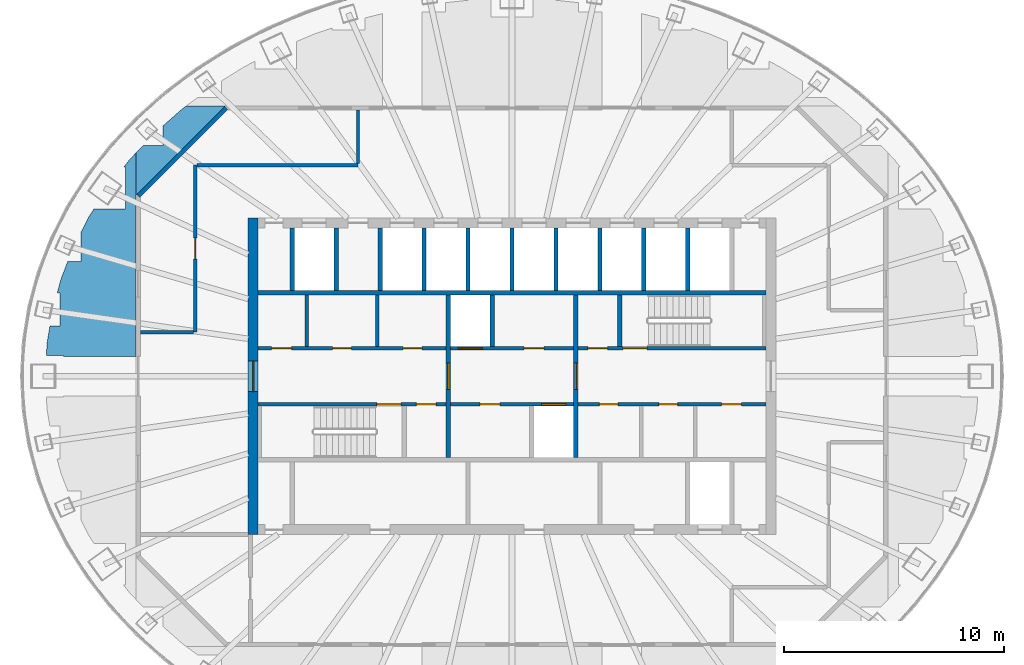
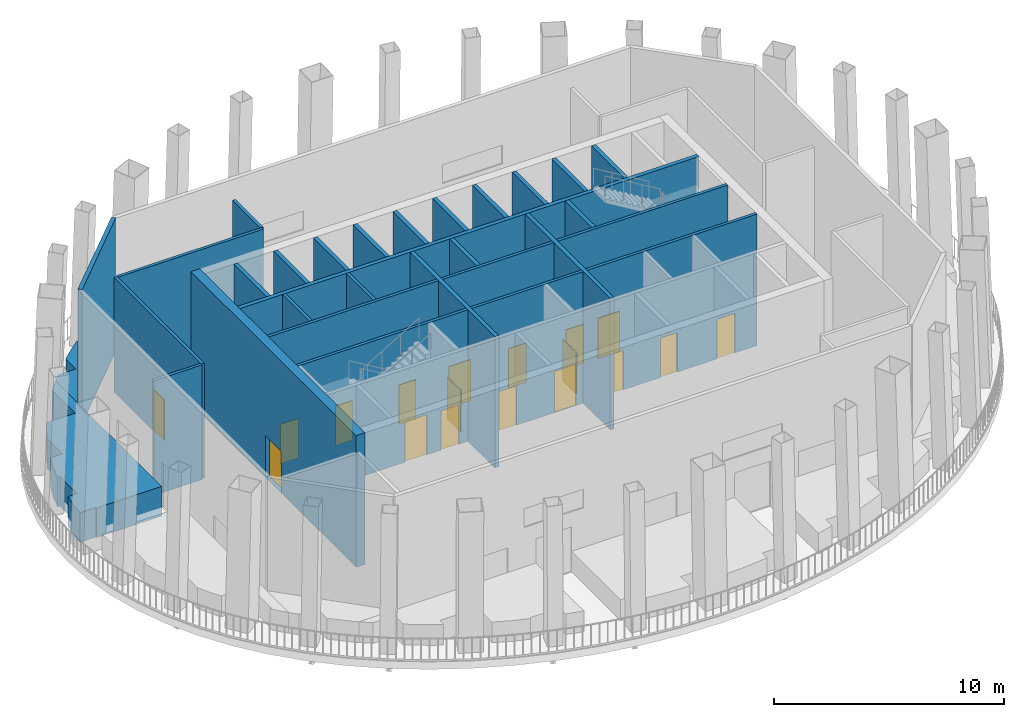
# One storey, part 4 of 12: 31 walls, 18 doors, 18 openings.
"""IFC4 building model written with IfcOpenShell, lengths in metres."""

from ifc_helpers import new_model, si_unit, direction, frame, frame_2d, origin, place, context, subcontext, project, spatial, polyline, rectangle, outline, extrude, material, layer, layer_set, type_object, element, fill, save


model = new_model("IFC4")

# Units and contexts
model_context = context("Model", 3, precision=1e-05, world=origin(), true_north=direction((0.0, 1.0)))
body_context = subcontext(model_context, "Body", "Model", "MODEL_VIEW")
ifc_project = project(units=[si_unit("LENGTHUNIT", "METRE"), si_unit("AREAUNIT", "SQUARE_METRE"), si_unit("VOLUMEUNIT", "CUBIC_METRE"), si_unit("PLANEANGLEUNIT", "RADIAN"), si_unit("MASSUNIT", "GRAM", prefix="KILO")], contexts=[model_context])

# Site, building, storey
site_placement = place(None, origin())
site = spatial("IfcSite", under=ifc_project, at=site_placement, CompositionType="ELEMENT")
building_placement = place(site_placement, origin())
building = spatial("IfcBuilding", under=site, at=building_placement, Name="Siaravel Broadcast Tower", CompositionType="ELEMENT")
storey_placement = place(building_placement, frame((0.0, 0.0, 205.199951171875)))
storey = spatial("IfcBuildingStorey", under=building, at=storey_placement, Name="L50", CompositionType="ELEMENT", Elevation=205.199951171875)

# Walls
ifc_material_1 = material(Name="Concrete blockwork", Category="masonry")
ifc_layer_1 = layer(ifc_material_1, 0.14990234375)
ifc_layer_set_1 = layer_set([ifc_layer_1], Name="Concrete blockwork")
wall_type_1 = type_object("IfcWallType", Name="Core partition 150", PredefinedType="PARTITIONING", material=ifc_layer_set_1)
for number, where, z_axis, x_axis, name in (
    (1, (-9.330078125, 1.35009765625, 0.0), (0.0, 0.0, 1.0), (0.0, 1.0, 0.0), "L50 core partition PNW0"),
    (2, (-6.12744140625, 1.35009765625, 0.0), (0.0, 0.0, 1.0), (0.0, 1.0, 0.0), "L50 core partition PNW1"),
):
    element("IfcWall", number, at=place(storey_placement, frame(where, z_axis=z_axis, x_axis=x_axis)), inside=storey, type_object=wall_type_1, Name=name, PredefinedType="PARTITIONING", context=body_context, shape_type="SweptSolid", body=[
        extrude(rectangle(XDim=2.349853515625, YDim=0.14990234375, at=frame_2d((1.1748046875, 0.0))), origin(), (0.0, 0.0, 1.0), 7.0),
    ])

# Wall, opening, door
ifc_material_2 = material(Name="Concrete C60/75", Category="concrete")
ifc_layer_2 = layer(ifc_material_2, 0.449951171875)
ifc_layer_set_2 = layer_set([ifc_layer_2], Name="Concrete C60/75")
wall_type_2 = type_object("IfcWallType", Name="Core wall 450", PredefinedType="SHEAR", material=ifc_layer_set_2)
wall_1_placement = place(storey_placement, frame((-11.77490234375, -7.199951171875, 0.0), z_axis=(0.0, 0.0, 1.0), x_axis=(0.0, 1.0, 0.0)))
wall_1 = element("IfcWall", 3, at=wall_1_placement, inside=storey, type_object=wall_type_2, Name="L50 core wall OW", PredefinedType="SHEAR", context=body_context, shape_type="SweptSolid", body=[
    extrude(rectangle(XDim=14.39990234375, YDim=0.449951171875, at=frame_2d((7.199951171875, 0.0))), origin(), (0.0, 0.0, 1.0), 7.0),
])
opening_1_placement = place(wall_1_placement, frame((6.5, 0.0, 0.0)))
opening_1 = element("IfcOpeningElement", 4, at=opening_1_placement, cuts=wall_1, Name="Opening L50-DX-W", PredefinedType="OPENING", context=body_context, shape_type="SweptSolid", body=[
    extrude(rectangle(XDim=1.39990234375, YDim=2.199951171875, at=frame_2d((0.699951171875, 1.10009765625))), frame((0.0, 0.23486328125, 0.0), z_axis=(0.0, -1.0, 0.0), x_axis=(1.0, 0.0, 0.0)), (0.0, 0.0, 1.0), 0.469970703125),
])
ifc_material_3 = material(Name="Steel", Category="steel")
door_type_1 = type_object("IfcDoorType", Name="Core exit door 1400", OperationType="DOUBLE_DOOR_SINGLE_SWING", PredefinedType="DOOR", material=ifc_material_3)
door_1_placement = place(opening_1_placement, origin())
door_1 = element("IfcDoor", 5, at=door_1_placement, inside=storey, type_object=door_type_1, Name="L50 door DX-W", OperationType="DOUBLE_DOOR_SINGLE_SWING", OverallHeight=2.199951171875, OverallWidth=1.39990234375, PredefinedType="DOOR", context=body_context, shape_type="SweptSolid", body=[
    extrude(rectangle(XDim=1.39990234375, YDim=2.199951171875, at=frame_2d((0.699951171875, 1.10009765625))), frame((0.0, 0.02490234375, 0.0), z_axis=(0.0, -1.0, 0.0), x_axis=(1.0, 0.0, 0.0)), (0.0, 0.0, 1.0), 0.050048828125),
])
fill(opening_1, door_1)

# Wall, openings, doors
ifc_material_4 = material(Name="Gypsum board partition", Category="gypsum")
ifc_layer_3 = layer(ifc_material_4, 0.14990234375)
ifc_layer_set_3 = layer_set([ifc_layer_3], Name="Gypsum board partition")
wall_type_3 = type_object("IfcWallType", Name="Corridor wall 150", PredefinedType="PARTITIONING", material=ifc_layer_set_3)
wall_2_placement = place(storey_placement, frame((3.0, -1.27490234375, 0.0), z_axis=(0.0, 0.0, 1.0), x_axis=(1.0, 0.0, 0.0)))
wall_2 = element("IfcWall", 6, at=wall_2_placement, inside=storey, type_object=wall_type_3, Name="L50 core partition CSE", PredefinedType="PARTITIONING", context=body_context, shape_type="SweptSolid", body=[
    extrude(rectangle(XDim=8.550048828125, YDim=0.14990234375, at=frame_2d((4.27490234375, 0.0))), origin(), (0.0, 0.0, 1.0), 7.0),
])
opening_2_placement = place(wall_2_placement, frame((0.9775390625, 0.0, 0.0)))
opening_2 = element("IfcOpeningElement", 7, at=opening_2_placement, cuts=wall_2, Name="Opening L50-DSE0", PredefinedType="OPENING", context=body_context, shape_type="SweptSolid", body=[
    extrude(rectangle(XDim=0.85009765625, YDim=2.10009765625, at=frame_2d((0.425048828125, 1.050048828125))), frame((0.0, 0.0849609375, 0.0), z_axis=(0.0, -1.0, 0.0), x_axis=(1.0, 0.0, 0.0)), (0.0, 0.0, 1.0), 0.169921875),
])
opening_3_placement = place(wall_2_placement, frame((3.68505859375, 0.0, 0.0)))
opening_3 = element("IfcOpeningElement", 8, at=opening_3_placement, cuts=wall_2, Name="Opening L50-DSE1", PredefinedType="OPENING", context=body_context, shape_type="SweptSolid", body=[
    extrude(rectangle(XDim=0.85009765625, YDim=2.10009765625, at=frame_2d((0.425048828125, 1.050048828125))), frame((0.0, 0.0849609375, 0.0), z_axis=(0.0, -1.0, 0.0), x_axis=(1.0, 0.0, 0.0)), (0.0, 0.0, 1.0), 0.169921875),
])
opening_4_placement = place(wall_2_placement, frame((6.532470703125, 0.0, 0.0)))
opening_4 = element("IfcOpeningElement", 9, at=opening_4_placement, cuts=wall_2, Name="Opening L50-DSE2", PredefinedType="OPENING", context=body_context, shape_type="SweptSolid", body=[
    extrude(rectangle(XDim=0.89990234375, YDim=2.10009765625, at=frame_2d((0.449951171875, 1.050048828125))), frame((0.0, 0.0849609375, 0.0), z_axis=(0.0, -1.0, 0.0), x_axis=(1.0, 0.0, 0.0)), (0.0, 0.0, 1.0), 0.169921875),
])
ifc_material_5 = material(Name="Timber veneer", Category="wood")
door_type_2 = type_object("IfcDoorType", Name="Core room door 900", OperationType="SINGLE_SWING_LEFT", PredefinedType="DOOR", material=ifc_material_5)
door_2_placement = place(opening_4_placement, origin())
door_2 = element("IfcDoor", 10, at=door_2_placement, inside=storey, type_object=door_type_2, Name="L50 door DSE2", OperationType="SINGLE_SWING_LEFT", OverallHeight=2.10009765625, OverallWidth=0.89990234375, PredefinedType="DOOR", context=body_context, shape_type="SweptSolid", body=[
    extrude(rectangle(XDim=0.89990234375, YDim=2.10009765625, at=frame_2d((0.449951171875, 1.050048828125))), frame((0.0, 0.02490234375, 0.0), z_axis=(0.0, -1.0, 0.0), x_axis=(1.0, 0.0, 0.0)), (0.0, 0.0, 1.0), 0.050048828125),
])
fill(opening_4, door_2)
door_type_3 = type_object("IfcDoorType", Name="Core toilet door 850", OperationType="SINGLE_SWING_LEFT", PredefinedType="DOOR", material=ifc_material_5)
door_3_placement = place(opening_2_placement, origin())
door_3 = element("IfcDoor", 11, at=door_3_placement, inside=storey, type_object=door_type_3, Name="L50 door DSE0", OperationType="SINGLE_SWING_LEFT", OverallHeight=2.10009765625, OverallWidth=0.85009765625, PredefinedType="DOOR", context=body_context, shape_type="SweptSolid", body=[
    extrude(rectangle(XDim=0.85009765625, YDim=2.10009765625, at=frame_2d((0.425048828125, 1.050048828125))), frame((0.0, 0.02490234375, 0.0), z_axis=(0.0, -1.0, 0.0), x_axis=(1.0, 0.0, 0.0)), (0.0, 0.0, 1.0), 0.050048828125),
])
fill(opening_2, door_3)
door_4_placement = place(opening_3_placement, origin())
door_4 = element("IfcDoor", 12, at=door_4_placement, inside=storey, type_object=door_type_3, Name="L50 door DSE1", OperationType="SINGLE_SWING_LEFT", OverallHeight=2.10009765625, OverallWidth=0.85009765625, PredefinedType="DOOR", context=body_context, shape_type="SweptSolid", body=[
    extrude(rectangle(XDim=0.85009765625, YDim=2.10009765625, at=frame_2d((0.425048828125, 1.050048828125))), frame((0.0, 0.02490234375, 0.0), z_axis=(0.0, -1.0, 0.0), x_axis=(1.0, 0.0, 0.0)), (0.0, 0.0, 1.0), 0.050048828125),
])
fill(opening_3, door_4)

wall_3_placement = place(storey_placement, frame((-11.550048828125, 1.27490234375, 0.0), z_axis=(0.0, 0.0, 1.0), x_axis=(1.0, 0.0, 0.0)))
wall_3 = element("IfcWall", 13, at=wall_3_placement, inside=storey, type_object=wall_type_3, Name="L50 core partition CNW", PredefinedType="PARTITIONING", context=body_context, shape_type="SweptSolid", body=[
    extrude(rectangle(XDim=8.550048828125, YDim=0.14990234375, at=frame_2d((4.27490234375, 0.0))), origin(), (0.0, 0.0, 1.0), 7.0),
])
opening_5_placement = place(wall_3_placement, frame((0.62255859375, 0.0, 0.0)))
opening_5 = element("IfcOpeningElement", 14, at=opening_5_placement, cuts=wall_3, Name="Opening L50-DNW0", PredefinedType="OPENING", context=body_context, shape_type="SweptSolid", body=[
    extrude(rectangle(XDim=0.89990234375, YDim=2.10009765625, at=frame_2d((0.449951171875, 1.050048828125))), frame((0.0, 0.0849609375, 0.0), z_axis=(0.0, -1.0, 0.0), x_axis=(1.0, 0.0, 0.0)), (0.0, 0.0, 1.0), 0.169921875),
])
opening_6_placement = place(wall_3_placement, frame((3.396240234375, 0.0, 0.0)))
opening_6 = element("IfcOpeningElement", 15, at=opening_6_placement, cuts=wall_3, Name="Opening L50-DNW1", PredefinedType="OPENING", context=body_context, shape_type="SweptSolid", body=[
    extrude(rectangle(XDim=0.85009765625, YDim=2.10009765625, at=frame_2d((0.425048828125, 1.050048828125))), frame((0.0, 0.0849609375, 0.0), z_axis=(0.0, -1.0, 0.0), x_axis=(1.0, 0.0, 0.0)), (0.0, 0.0, 1.0), 0.169921875),
])
opening_7_placement = place(wall_3_placement, frame((6.5986328125, 0.0, 0.0)))
opening_7 = element("IfcOpeningElement", 16, at=opening_7_placement, cuts=wall_3, Name="Opening L50-DNW2", PredefinedType="OPENING", context=body_context, shape_type="SweptSolid", body=[
    extrude(rectangle(XDim=0.85009765625, YDim=2.10009765625, at=frame_2d((0.425048828125, 1.050048828125))), frame((0.0, 0.0849609375, 0.0), z_axis=(0.0, -1.0, 0.0), x_axis=(1.0, 0.0, 0.0)), (0.0, 0.0, 1.0), 0.169921875),
])
door_5_placement = place(opening_5_placement, origin())
door_5 = element("IfcDoor", 17, at=door_5_placement, inside=storey, type_object=door_type_2, Name="L50 door DNW0", OperationType="SINGLE_SWING_LEFT", OverallHeight=2.10009765625, OverallWidth=0.89990234375, PredefinedType="DOOR", context=body_context, shape_type="SweptSolid", body=[
    extrude(rectangle(XDim=0.89990234375, YDim=2.10009765625, at=frame_2d((0.449951171875, 1.050048828125))), frame((0.0, 0.02490234375, 0.0), z_axis=(0.0, -1.0, 0.0), x_axis=(1.0, 0.0, 0.0)), (0.0, 0.0, 1.0), 0.050048828125),
])
fill(opening_5, door_5)
door_6_placement = place(opening_6_placement, origin())
door_6 = element("IfcDoor", 18, at=door_6_placement, inside=storey, type_object=door_type_3, Name="L50 door DNW1", OperationType="SINGLE_SWING_LEFT", OverallHeight=2.10009765625, OverallWidth=0.85009765625, PredefinedType="DOOR", context=body_context, shape_type="SweptSolid", body=[
    extrude(rectangle(XDim=0.85009765625, YDim=2.10009765625, at=frame_2d((0.425048828125, 1.050048828125))), frame((0.0, 0.02490234375, 0.0), z_axis=(0.0, -1.0, 0.0), x_axis=(1.0, 0.0, 0.0)), (0.0, 0.0, 1.0), 0.050048828125),
])
fill(opening_6, door_6)
door_7_placement = place(opening_7_placement, origin())
door_7 = element("IfcDoor", 19, at=door_7_placement, inside=storey, type_object=door_type_3, Name="L50 door DNW2", OperationType="SINGLE_SWING_LEFT", OverallHeight=2.10009765625, OverallWidth=0.85009765625, PredefinedType="DOOR", context=body_context, shape_type="SweptSolid", body=[
    extrude(rectangle(XDim=0.85009765625, YDim=2.10009765625, at=frame_2d((0.425048828125, 1.050048828125))), frame((0.0, 0.02490234375, 0.0), z_axis=(0.0, -1.0, 0.0), x_axis=(1.0, 0.0, 0.0)), (0.0, 0.0, 1.0), 0.050048828125),
])
fill(opening_7, door_7)

# Wall, opening, door
wall_4_placement = place(storey_placement, frame((-14.39990234375, 2.0, 0.0), z_axis=(0.0, 0.0, 1.0), x_axis=(0.0, 1.0, 0.0)))
wall_4 = element("IfcWall", 20, at=wall_4_placement, inside=storey, type_object=wall_type_3, Name="L50 partition 1", PredefinedType="PARTITIONING", context=body_context, shape_type="SweptSolid", body=[
    extrude(rectangle(XDim=7.60009765625, YDim=0.14990234375, at=frame_2d((3.800048828125, 0.0))), origin(), (0.0, 0.0, 1.0), 6.10009765625),
])
opening_8_placement = place(wall_4_placement, frame((3.324951171875, 0.0, 0.0)))
opening_8 = element("IfcOpeningElement", 21, at=opening_8_placement, cuts=wall_4, Name="Opening L50-001", PredefinedType="OPENING", context=body_context, shape_type="SweptSolid", body=[
    extrude(rectangle(XDim=0.949951171875, YDim=2.14990234375, at=frame_2d((0.47509765625, 1.074951171875))), frame((0.0, 0.0849609375, 0.0), z_axis=(0.0, -1.0, 0.0), x_axis=(1.0, 0.0, 0.0)), (0.0, 0.0, 1.0), 0.169921875),
])
door_type_4 = type_object("IfcDoorType", Name="Office door 950", OperationType="SINGLE_SWING_LEFT", PredefinedType="DOOR", material=ifc_material_5)
door_8_placement = place(opening_8_placement, origin())
door_8 = element("IfcDoor", 22, at=door_8_placement, inside=storey, type_object=door_type_4, Name="L50 door to Sky lounge", OperationType="SINGLE_SWING_LEFT", OverallHeight=2.14990234375, OverallWidth=0.949951171875, PredefinedType="DOOR", context=body_context, shape_type="SweptSolid", body=[
    extrude(rectangle(XDim=0.949951171875, YDim=2.14990234375, at=frame_2d((0.47509765625, 1.074951171875))), frame((0.0, 0.02490234375, 0.0), z_axis=(0.0, -1.0, 0.0), x_axis=(1.0, 0.0, 0.0)), (0.0, 0.0, 1.0), 0.050048828125),
])
fill(opening_8, door_8)

# Walls
wall_5_placement = place(storey_placement, frame((-14.322998046875, 9.60009765625, 0.0), z_axis=(0.0, 0.0, 1.0), x_axis=(1.0, 0.0, 0.0)))
element("IfcWall", 23, at=wall_5_placement, inside=storey, type_object=wall_type_3, Name="L50 partition 2", PredefinedType="PARTITIONING", context=body_context, shape_type="SweptSolid", body=[
    extrude(rectangle(XDim=7.322998046875, YDim=0.14990234375, at=frame_2d((3.66162109375, 0.0))), origin(), (0.0, 0.0, 1.0), 6.10009765625),
])
wall_6_placement = place(storey_placement, frame((-7.0, 9.677001953125, 0.0), z_axis=(0.0, 0.0, 1.0), x_axis=(0.0, 1.0, 0.0)))
element("IfcWall", 24, at=wall_6_placement, inside=storey, type_object=wall_type_3, Name="L50 partition 9", PredefinedType="PARTITIONING", context=body_context, shape_type="SweptSolid", body=[
    extrude(rectangle(XDim=2.423095703125, YDim=0.14990234375, at=frame_2d((1.21142578125, 0.0))), origin(), (0.0, 0.0, 1.0), 6.10009765625),
])
wall_7_placement = place(storey_placement, frame((-16.89990234375, 2.0, 0.0), z_axis=(0.0, 0.0, 1.0), x_axis=(1.0, 0.0, 0.0)))
element("IfcWall", 25, at=wall_7_placement, inside=storey, type_object=wall_type_3, Name="L50 partition 12", PredefinedType="PARTITIONING", context=body_context, shape_type="SweptSolid", body=[
    extrude(rectangle(XDim=2.4228515625, YDim=0.14990234375, at=frame_2d((1.21142578125, 0.0))), origin(), (0.0, 0.0, 1.0), 6.10009765625),
])
ifc_material_6 = material(Name="Concrete C40/50", Category="concrete")
ifc_layer_4 = layer(ifc_material_6, 1.0)
ifc_layer_set_4 = layer_set([ifc_layer_4], Name="Concrete C40/50")
wall_type_4 = type_object("IfcWallType", Name="Garden planter box", PredefinedType="ELEMENTEDWALL", material=ifc_layer_set_4)
wall_8_placement = place(storey_placement, frame((0.0, 0.0, -0.39990234375)))
element("IfcWall", 26, at=wall_8_placement, inside=storey, type_object=wall_type_4, Name="L50 garden planting bed 08", PredefinedType="ELEMENTEDWALL", context=body_context, shape_type="SweptSolid", body=[
    extrude(outline(polyline([(-21.01904296875, 2.2734375), (-21.145263671875, 1.497314453125), (-21.1748046875, 0.949951171875), (-20.39013671875, 0.949951171875), (-20.39013671875, 0.89990234375), (-17.10009765625, 0.89990234375), (-17.10009765625, 8.241455078125), (-17.10009765625, 10.15625), (-17.387451171875, 9.853271484375), (-17.66015625, 9.5068359375), (-17.584716796875, 9.5068359375), (-17.584716796875, 7.606689453125), (-19.014404296875, 7.606689453125), (-19.2373046875, 7.260009765625), (-19.605712890625, 6.5400390625), (-19.605712890625, 5.2119140625), (-20.20458984375, 5.2119140625), (-20.502685546875, 4.446044921875), (-20.68701171875, 3.7734375), (-20.567138671875, 3.7734375), (-20.567138671875, 2.2734375), (-21.01904296875, 2.2734375)])), origin(), (0.0, 0.0, 1.0), 1.579833984375),
])
wall_9_placement = place(storey_placement, frame((0.0, 0.0, -0.39990234375)))
element("IfcWall", 27, at=wall_9_placement, inside=storey, type_object=wall_type_4, Name="L50 garden planting bed 10", PredefinedType="ELEMENTEDWALL", context=body_context, shape_type="SweptSolid", body=[
    extrude(outline(polyline([(-17.10009765625, 10.15625), (-17.10009765625, 8.241455078125), (-13.04150390625, 12.300048828125), (-14.802978515625, 12.300048828125), (-15.009033203125, 12.147216796875), (-15.88134765625, 11.376708984375), (-15.88134765625, 10.49267578125), (-16.78125, 10.49267578125), (-17.10009765625, 10.15625)])), origin(), (0.0, 0.0, 1.0), 1.579833984375),
])

# Wall, openings, doors
ifc_layer_5 = layer(ifc_material_2, 0.14990234375)
ifc_layer_set_5 = layer_set([ifc_layer_5], Name="Concrete C60/75")
wall_type_5 = type_object("IfcWallType", Name="Shaft wall 150", PredefinedType="SHEAR", material=ifc_layer_set_5)
wall_10_placement = place(storey_placement, frame((-11.550048828125, -1.27490234375, 0.0), z_axis=(0.0, 0.0, 1.0), x_axis=(1.0, 0.0, 0.0)))
wall_10 = element("IfcWall", 28, at=wall_10_placement, inside=storey, type_object=wall_type_5, Name="L50 core wall CSW", PredefinedType="SHEAR", context=body_context, shape_type="SweptSolid", body=[
    extrude(rectangle(XDim=8.550048828125, YDim=0.14990234375, at=frame_2d((4.27490234375, 0.0))), origin(), (0.0, 0.0, 1.0), 7.0),
])
opening_9_placement = place(wall_10_placement, frame((5.39990234375, 0.0, 0.0)))
opening_9 = element("IfcOpeningElement", 29, at=opening_9_placement, cuts=wall_10, Name="Opening L50-DS-1", PredefinedType="OPENING", context=body_context, shape_type="SweptSolid", body=[
    extrude(rectangle(XDim=1.10009765625, YDim=2.14990234375, at=frame_2d((0.550048828125, 1.074951171875))), frame((0.0, 0.0849609375, 0.0), z_axis=(0.0, -1.0, 0.0), x_axis=(1.0, 0.0, 0.0)), (0.0, 0.0, 1.0), 0.169921875),
])
opening_10_placement = place(wall_10_placement, frame((7.199951171875, 0.0, 0.0)))
opening_10 = element("IfcOpeningElement", 30, at=opening_10_placement, cuts=wall_10, Name="Opening L50-DSW0", PredefinedType="OPENING", context=body_context, shape_type="SweptSolid", body=[
    extrude(rectangle(XDim=0.89990234375, YDim=2.10009765625, at=frame_2d((0.449951171875, 1.050048828125))), frame((0.0, 0.0849609375, 0.0), z_axis=(0.0, -1.0, 0.0), x_axis=(1.0, 0.0, 0.0)), (0.0, 0.0, 1.0), 0.169921875),
])
door_9_placement = place(opening_10_placement, origin())
door_9 = element("IfcDoor", 31, at=door_9_placement, inside=storey, type_object=door_type_2, Name="L50 door DSW0", OperationType="SINGLE_SWING_LEFT", OverallHeight=2.10009765625, OverallWidth=0.89990234375, PredefinedType="DOOR", context=body_context, shape_type="SweptSolid", body=[
    extrude(rectangle(XDim=0.89990234375, YDim=2.10009765625, at=frame_2d((0.449951171875, 1.050048828125))), frame((0.0, 0.02490234375, 0.0), z_axis=(0.0, -1.0, 0.0), x_axis=(1.0, 0.0, 0.0)), (0.0, 0.0, 1.0), 0.050048828125),
])
fill(opening_10, door_9)
door_type_5 = type_object("IfcDoorType", Name="Stair door 1100", OperationType="SINGLE_SWING_LEFT", PredefinedType="DOOR", material=ifc_material_3)
door_10_placement = place(opening_9_placement, origin())
door_10 = element("IfcDoor", 32, at=door_10_placement, inside=storey, type_object=door_type_5, Name="L50 door DS-1", OperationType="SINGLE_SWING_LEFT", OverallHeight=2.14990234375, OverallWidth=1.10009765625, PredefinedType="DOOR", context=body_context, shape_type="SweptSolid", body=[
    extrude(rectangle(XDim=1.10009765625, YDim=2.14990234375, at=frame_2d((0.550048828125, 1.074951171875))), frame((0.0, 0.02490234375, 0.0), z_axis=(0.0, -1.0, 0.0), x_axis=(1.0, 0.0, 0.0)), (0.0, 0.0, 1.0), 0.050048828125),
])
fill(opening_9, door_10)

wall_11_placement = place(storey_placement, frame((-2.800048828125, -1.27490234375, 0.0), z_axis=(0.0, 0.0, 1.0), x_axis=(1.0, 0.0, 0.0)))
wall_11 = element("IfcWall", 33, at=wall_11_placement, inside=storey, type_object=wall_type_5, Name="L50 core wall CSM", PredefinedType="SHEAR", context=body_context, shape_type="SweptSolid", body=[
    extrude(rectangle(XDim=5.60009765625, YDim=0.14990234375, at=frame_2d((2.800048828125, 0.0))), origin(), (0.0, 0.0, 1.0), 7.0),
])
opening_11_placement = place(wall_11_placement, frame((4.14990234375, 0.0, 0.0)))
opening_11 = element("IfcOpeningElement", 34, at=opening_11_placement, cuts=wall_11, Name="Opening LD-FL2-L50", PredefinedType="OPENING", context=body_context, shape_type="SweptSolid", body=[
    extrude(rectangle(XDim=1.10009765625, YDim=2.199951171875, at=frame_2d((0.550048828125, 1.10009765625))), frame((0.0, 0.0849609375, 0.0), z_axis=(0.0, -1.0, 0.0), x_axis=(1.0, 0.0, 0.0)), (0.0, 0.0, 1.0), 0.169921875),
])
opening_12_placement = place(wall_11_placement, frame((1.35009765625, 0.0, 0.0)))
opening_12 = element("IfcOpeningElement", 35, at=opening_12_placement, cuts=wall_11, Name="Opening L50-DSM0", PredefinedType="OPENING", context=body_context, shape_type="SweptSolid", body=[
    extrude(rectangle(XDim=0.89990234375, YDim=2.10009765625, at=frame_2d((0.449951171875, 1.050048828125))), frame((0.0, 0.0849609375, 0.0), z_axis=(0.0, -1.0, 0.0), x_axis=(1.0, 0.0, 0.0)), (0.0, 0.0, 1.0), 0.169921875),
])
door_11_placement = place(opening_12_placement, origin())
door_11 = element("IfcDoor", 36, at=door_11_placement, inside=storey, type_object=door_type_2, Name="L50 door DSM0", OperationType="SINGLE_SWING_LEFT", OverallHeight=2.10009765625, OverallWidth=0.89990234375, PredefinedType="DOOR", context=body_context, shape_type="SweptSolid", body=[
    extrude(rectangle(XDim=0.89990234375, YDim=2.10009765625, at=frame_2d((0.449951171875, 1.050048828125))), frame((0.0, 0.02490234375, 0.0), z_axis=(0.0, -1.0, 0.0), x_axis=(1.0, 0.0, 0.0)), (0.0, 0.0, 1.0), 0.050048828125),
])
fill(opening_12, door_11)
ifc_material_7 = material(Name="Stainless steel 316L", Category="steel")
door_type_6 = type_object("IfcDoorType", Name="Firefighting lift landing door 1100", OperationType="DOUBLE_DOOR_SLIDING", PredefinedType="DOOR", material=ifc_material_7)
door_12_placement = place(opening_11_placement, origin())
door_12 = element("IfcDoor", 37, at=door_12_placement, inside=storey, type_object=door_type_6, Name="Landing door FL2 L50", OperationType="DOUBLE_DOOR_SLIDING", OverallHeight=2.199951171875, OverallWidth=1.10009765625, PredefinedType="DOOR", context=body_context, shape_type="SweptSolid", body=[
    extrude(rectangle(XDim=1.10009765625, YDim=2.199951171875, at=frame_2d((0.550048828125, 1.10009765625))), frame((0.0, 0.02490234375, 0.0), z_axis=(0.0, -1.0, 0.0), x_axis=(1.0, 0.0, 0.0)), (0.0, 0.0, 1.0), 0.050048828125),
])
fill(opening_11, door_12)

wall_12_placement = place(storey_placement, frame((-2.800048828125, 1.27490234375, 0.0), z_axis=(0.0, 0.0, 1.0), x_axis=(1.0, 0.0, 0.0)))
wall_12 = element("IfcWall", 38, at=wall_12_placement, inside=storey, type_object=wall_type_5, Name="L50 core wall CNM", PredefinedType="SHEAR", context=body_context, shape_type="SweptSolid", body=[
    extrude(rectangle(XDim=5.60009765625, YDim=0.14990234375, at=frame_2d((2.800048828125, 0.0))), origin(), (0.0, 0.0, 1.0), 7.0),
])
opening_13_placement = place(wall_12_placement, frame((0.35009765625, 0.0, 0.0)))
opening_13 = element("IfcOpeningElement", 39, at=opening_13_placement, cuts=wall_12, Name="Opening LD-FL1-L50", PredefinedType="OPENING", context=body_context, shape_type="SweptSolid", body=[
    extrude(rectangle(XDim=1.10009765625, YDim=2.199951171875, at=frame_2d((0.550048828125, 1.10009765625))), frame((0.0, 0.0849609375, 0.0), z_axis=(0.0, -1.0, 0.0), x_axis=(1.0, 0.0, 0.0)), (0.0, 0.0, 1.0), 0.169921875),
])
opening_14_placement = place(wall_12_placement, frame((3.35009765625, 0.0, 0.0)))
opening_14 = element("IfcOpeningElement", 40, at=opening_14_placement, cuts=wall_12, Name="Opening L50-DNM0", PredefinedType="OPENING", context=body_context, shape_type="SweptSolid", body=[
    extrude(rectangle(XDim=0.89990234375, YDim=2.10009765625, at=frame_2d((0.449951171875, 1.050048828125))), frame((0.0, 0.0849609375, 0.0), z_axis=(0.0, -1.0, 0.0), x_axis=(1.0, 0.0, 0.0)), (0.0, 0.0, 1.0), 0.169921875),
])
door_13_placement = place(opening_14_placement, origin())
door_13 = element("IfcDoor", 41, at=door_13_placement, inside=storey, type_object=door_type_2, Name="L50 door DNM0", OperationType="SINGLE_SWING_LEFT", OverallHeight=2.10009765625, OverallWidth=0.89990234375, PredefinedType="DOOR", context=body_context, shape_type="SweptSolid", body=[
    extrude(rectangle(XDim=0.89990234375, YDim=2.10009765625, at=frame_2d((0.449951171875, 1.050048828125))), frame((0.0, 0.02490234375, 0.0), z_axis=(0.0, -1.0, 0.0), x_axis=(1.0, 0.0, 0.0)), (0.0, 0.0, 1.0), 0.050048828125),
])
fill(opening_14, door_13)
door_14_placement = place(opening_13_placement, origin())
door_14 = element("IfcDoor", 42, at=door_14_placement, inside=storey, type_object=door_type_6, Name="Landing door FL1 L50", OperationType="DOUBLE_DOOR_SLIDING", OverallHeight=2.199951171875, OverallWidth=1.10009765625, PredefinedType="DOOR", context=body_context, shape_type="SweptSolid", body=[
    extrude(rectangle(XDim=1.10009765625, YDim=2.199951171875, at=frame_2d((0.550048828125, 1.10009765625))), frame((0.0, 0.02490234375, 0.0), z_axis=(0.0, -1.0, 0.0), x_axis=(1.0, 0.0, 0.0)), (0.0, 0.0, 1.0), 0.050048828125),
])
fill(opening_13, door_14)

wall_13_placement = place(storey_placement, frame((3.0, 1.27490234375, 0.0), z_axis=(0.0, 0.0, 1.0), x_axis=(1.0, 0.0, 0.0)))
wall_13 = element("IfcWall", 43, at=wall_13_placement, inside=storey, type_object=wall_type_5, Name="L50 core wall CNE", PredefinedType="SHEAR", context=body_context, shape_type="SweptSolid", body=[
    extrude(rectangle(XDim=8.550048828125, YDim=0.14990234375, at=frame_2d((4.27490234375, 0.0))), origin(), (0.0, 0.0, 1.0), 7.0),
])
opening_15_placement = place(wall_13_placement, frame((2.050048828125, 0.0, 0.0)))
opening_15 = element("IfcOpeningElement", 44, at=opening_15_placement, cuts=wall_13, Name="Opening L50-DS-2", PredefinedType="OPENING", context=body_context, shape_type="SweptSolid", body=[
    extrude(rectangle(XDim=1.10009765625, YDim=2.14990234375, at=frame_2d((0.550048828125, 1.074951171875))), frame((0.0, 0.0849609375, 0.0), z_axis=(0.0, -1.0, 0.0), x_axis=(1.0, 0.0, 0.0)), (0.0, 0.0, 1.0), 0.169921875),
])
opening_16_placement = place(wall_13_placement, frame((0.449951171875, 0.0, 0.0)))
opening_16 = element("IfcOpeningElement", 45, at=opening_16_placement, cuts=wall_13, Name="Opening L50-DNE0", PredefinedType="OPENING", context=body_context, shape_type="SweptSolid", body=[
    extrude(rectangle(XDim=0.89990234375, YDim=2.10009765625, at=frame_2d((0.449951171875, 1.050048828125))), frame((0.0, 0.0849609375, 0.0), z_axis=(0.0, -1.0, 0.0), x_axis=(1.0, 0.0, 0.0)), (0.0, 0.0, 1.0), 0.169921875),
])
door_15_placement = place(opening_16_placement, origin())
door_15 = element("IfcDoor", 46, at=door_15_placement, inside=storey, type_object=door_type_2, Name="L50 door DNE0", OperationType="SINGLE_SWING_LEFT", OverallHeight=2.10009765625, OverallWidth=0.89990234375, PredefinedType="DOOR", context=body_context, shape_type="SweptSolid", body=[
    extrude(rectangle(XDim=0.89990234375, YDim=2.10009765625, at=frame_2d((0.449951171875, 1.050048828125))), frame((0.0, 0.02490234375, 0.0), z_axis=(0.0, -1.0, 0.0), x_axis=(1.0, 0.0, 0.0)), (0.0, 0.0, 1.0), 0.050048828125),
])
fill(opening_16, door_15)
door_16_placement = place(opening_15_placement, origin())
door_16 = element("IfcDoor", 47, at=door_16_placement, inside=storey, type_object=door_type_5, Name="L50 door DS-2", OperationType="SINGLE_SWING_LEFT", OverallHeight=2.14990234375, OverallWidth=1.10009765625, PredefinedType="DOOR", context=body_context, shape_type="SweptSolid", body=[
    extrude(rectangle(XDim=1.10009765625, YDim=2.14990234375, at=frame_2d((0.550048828125, 1.074951171875))), frame((0.0, 0.02490234375, 0.0), z_axis=(0.0, -1.0, 0.0), x_axis=(1.0, 0.0, 0.0)), (0.0, 0.0, 1.0), 0.050048828125),
])
fill(opening_15, door_16)

# Walls
ifc_layer_6 = layer(ifc_material_2, 0.199951171875)
ifc_layer_set_6 = layer_set([ifc_layer_6], Name="Concrete C60/75")
wall_type_6 = type_object("IfcWallType", Name="Shaft wall 200", PredefinedType="SHEAR", material=ifc_layer_set_6)
wall_14_placement = place(storey_placement, frame((-11.550048828125, 3.800048828125, 0.0), z_axis=(0.0, 0.0, 1.0), x_axis=(1.0, 0.0, 0.0)))
element("IfcWall", 48, at=wall_14_placement, inside=storey, type_object=wall_type_6, Name="L50 core wall BN", PredefinedType="SHEAR", context=body_context, shape_type="SweptSolid", body=[
    extrude(rectangle(XDim=23.10009765625, YDim=0.199951171875, at=frame_2d((11.550048828125, 0.0))), origin(), (0.0, 0.0, 1.0), 7.0),
])
for number, where, z_axis, x_axis, name in (
    (49, (-10.0, 3.89990234375, 0.0), (0.0, 0.0, 1.0), (0.0, 1.0, 0.0), "L50 core wall SWN0"),
    (50, (-8.0, 3.89990234375, 0.0), (0.0, 0.0, 1.0), (0.0, 1.0, 0.0), "L50 core wall SWN1"),
    (51, (-6.0, 3.89990234375, 0.0), (0.0, 0.0, 1.0), (0.0, 1.0, 0.0), "L50 core wall SWN2"),
    (52, (-4.0, 3.89990234375, 0.0), (0.0, 0.0, 1.0), (0.0, 1.0, 0.0), "L50 core wall SWN3"),
    (53, (-2.0, 3.89990234375, 0.0), (0.0, 0.0, 1.0), (0.0, 1.0, 0.0), "L50 core wall SWN4"),
    (54, (0.0, 3.89990234375, 0.0), (0.0, 0.0, 1.0), (0.0, 1.0, 0.0), "L50 core wall SWN5"),
    (55, (2.0, 3.89990234375, 0.0), (0.0, 0.0, 1.0), (0.0, 1.0, 0.0), "L50 core wall SWN6"),
    (56, (4.0, 3.89990234375, 0.0), (0.0, 0.0, 1.0), (0.0, 1.0, 0.0), "L50 core wall SWN7"),
    (57, (6.0, 3.89990234375, 0.0), (0.0, 0.0, 1.0), (0.0, 1.0, 0.0), "L50 core wall SWN8"),
    (58, (8.0, 3.89990234375, 0.0), (0.0, 0.0, 1.0), (0.0, 1.0, 0.0), "L50 core wall SWN9"),
):
    element("IfcWall", number, at=place(storey_placement, frame(where, z_axis=z_axis, x_axis=x_axis)), inside=storey, type_object=wall_type_6, Name=name, PredefinedType="SHEAR", context=body_context, shape_type="SweptSolid", body=[
        extrude(rectangle(XDim=2.85009765625, YDim=0.199951171875, at=frame_2d((1.425048828125, 0.0))), origin(), (0.0, 0.0, 1.0), 7.0),
    ])

# Wall, opening, door
wall_15_placement = place(storey_placement, frame((-2.89990234375, -3.699951171875, 0.0), z_axis=(0.0, 0.0, 1.0), x_axis=(0.0, 1.0, 0.0)))
wall_15 = element("IfcWall", 59, at=wall_15_placement, inside=storey, type_object=wall_type_6, Name="L50 core wall LW", PredefinedType="SHEAR", context=body_context, shape_type="SweptSolid", body=[
    extrude(rectangle(XDim=7.39990234375, YDim=0.199951171875, at=frame_2d((3.699951171875, 0.0))), origin(), (0.0, 0.0, 1.0), 7.0),
])
opening_17_placement = place(wall_15_placement, frame((3.10009765625, 0.0, 0.0)))
opening_17 = element("IfcOpeningElement", 60, at=opening_17_placement, cuts=wall_15, Name="Opening L50-DL-W", PredefinedType="OPENING", context=body_context, shape_type="SweptSolid", body=[
    extrude(rectangle(XDim=1.199951171875, YDim=2.199951171875, at=frame_2d((0.60009765625, 1.10009765625))), frame((0.0, 0.10986328125, 0.0), z_axis=(0.0, -1.0, 0.0), x_axis=(1.0, 0.0, 0.0)), (0.0, 0.0, 1.0), 0.219970703125),
])
door_type_7 = type_object("IfcDoorType", Name="Firefighting lobby door 1200", OperationType="SINGLE_SWING_LEFT", PredefinedType="DOOR", material=ifc_material_3)
door_17_placement = place(opening_17_placement, origin())
door_17 = element("IfcDoor", 61, at=door_17_placement, inside=storey, type_object=door_type_7, Name="L50 door DL-W", OperationType="SINGLE_SWING_LEFT", OverallHeight=2.199951171875, OverallWidth=1.199951171875, PredefinedType="DOOR", context=body_context, shape_type="SweptSolid", body=[
    extrude(rectangle(XDim=1.199951171875, YDim=2.199951171875, at=frame_2d((0.60009765625, 1.10009765625))), frame((0.0, 0.02490234375, 0.0), z_axis=(0.0, -1.0, 0.0), x_axis=(1.0, 0.0, 0.0)), (0.0, 0.0, 1.0), 0.050048828125),
])
fill(opening_17, door_17)

wall_16_placement = place(storey_placement, frame((2.89990234375, -3.699951171875, 0.0), z_axis=(0.0, 0.0, 1.0), x_axis=(0.0, 1.0, 0.0)))
wall_16 = element("IfcWall", 62, at=wall_16_placement, inside=storey, type_object=wall_type_6, Name="L50 core wall LE", PredefinedType="SHEAR", context=body_context, shape_type="SweptSolid", body=[
    extrude(rectangle(XDim=7.39990234375, YDim=0.199951171875, at=frame_2d((3.699951171875, 0.0))), origin(), (0.0, 0.0, 1.0), 7.0),
])
opening_18_placement = place(wall_16_placement, frame((3.10009765625, 0.0, 0.0)))
opening_18 = element("IfcOpeningElement", 63, at=opening_18_placement, cuts=wall_16, Name="Opening L50-DL-E", PredefinedType="OPENING", context=body_context, shape_type="SweptSolid", body=[
    extrude(rectangle(XDim=1.199951171875, YDim=2.199951171875, at=frame_2d((0.60009765625, 1.10009765625))), frame((0.0, 0.10986328125, 0.0), z_axis=(0.0, -1.0, 0.0), x_axis=(1.0, 0.0, 0.0)), (0.0, 0.0, 1.0), 0.219970703125),
])
door_18_placement = place(opening_18_placement, origin())
door_18 = element("IfcDoor", 64, at=door_18_placement, inside=storey, type_object=door_type_7, Name="L50 door DL-E", OperationType="SINGLE_SWING_LEFT", OverallHeight=2.199951171875, OverallWidth=1.199951171875, PredefinedType="DOOR", context=body_context, shape_type="SweptSolid", body=[
    extrude(rectangle(XDim=1.199951171875, YDim=2.199951171875, at=frame_2d((0.60009765625, 1.10009765625))), frame((0.0, 0.02490234375, 0.0), z_axis=(0.0, -1.0, 0.0), x_axis=(1.0, 0.0, 0.0)), (0.0, 0.0, 1.0), 0.050048828125),
])
fill(opening_18, door_18)

# Walls
for number, where, z_axis, x_axis, name in (
    (65, (-0.89990234375, 1.35009765625, 0.0), (0.0, 0.0, 1.0), (0.0, 1.0, 0.0), "L50 core wall FF1E"),
    (66, (4.89990234375, 1.35009765625, 0.0), (0.0, 0.0, 1.0), (0.0, 1.0, 0.0), "L50 core wall ST2W"),
):
    element("IfcWall", number, at=place(storey_placement, frame(where, z_axis=z_axis, x_axis=x_axis)), inside=storey, type_object=wall_type_6, Name=name, PredefinedType="SHEAR", context=body_context, shape_type="SweptSolid", body=[
        extrude(rectangle(XDim=2.349853515625, YDim=0.199951171875, at=frame_2d((1.1748046875, 0.0))), origin(), (0.0, 0.0, 1.0), 7.0),
    ])
ifc_layer_7 = layer(ifc_material_6, 0.199951171875)
ifc_layer_set_7 = layer_set([ifc_layer_7], Name="Concrete C40/50")
wall_type_7 = type_object("IfcWallType", Name="Sky lobby enclosure wall", PredefinedType="STANDARD", material=ifc_layer_set_7)
wall_17_placement = place(storey_placement, frame((-17.0, 8.199951171875, 0.080078125), z_axis=(0.0, 0.0, 1.0), x_axis=(0.707106781, 0.707106781, 0.0)))
element("IfcWall", 67, at=wall_17_placement, inside=storey, type_object=wall_type_7, Name="L50 sky lobby enclosure wall NW", PredefinedType="STANDARD", context=body_context, shape_type="SweptSolid", body=[
    extrude(rectangle(XDim=5.65673828125, YDim=0.199951171875, at=frame_2d((2.828369140625, 0.0))), origin(), (0.0, 0.0, 1.0), 7.119873046875),
])

save(model, "model.ifc")
